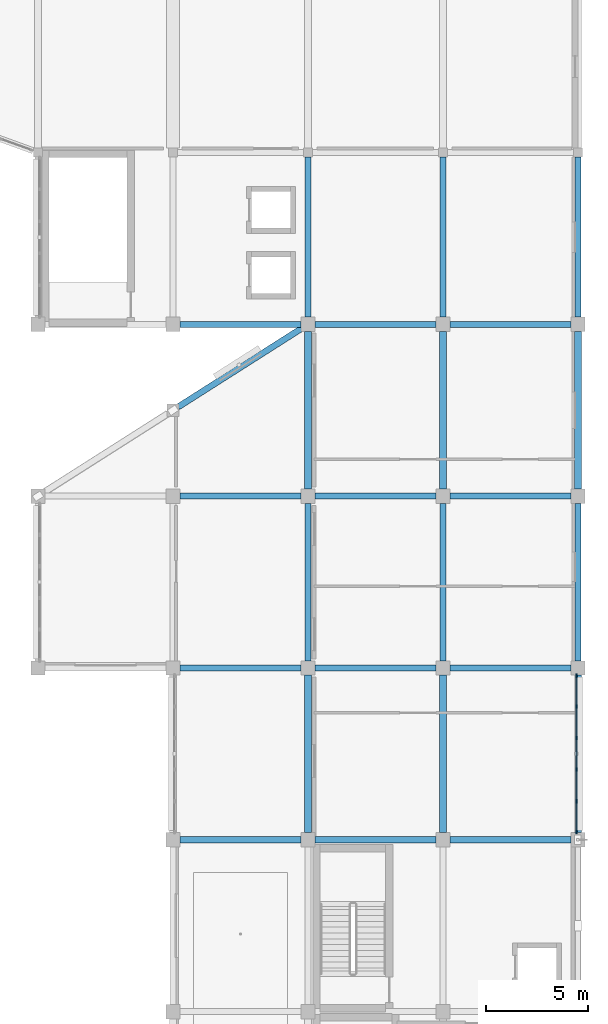
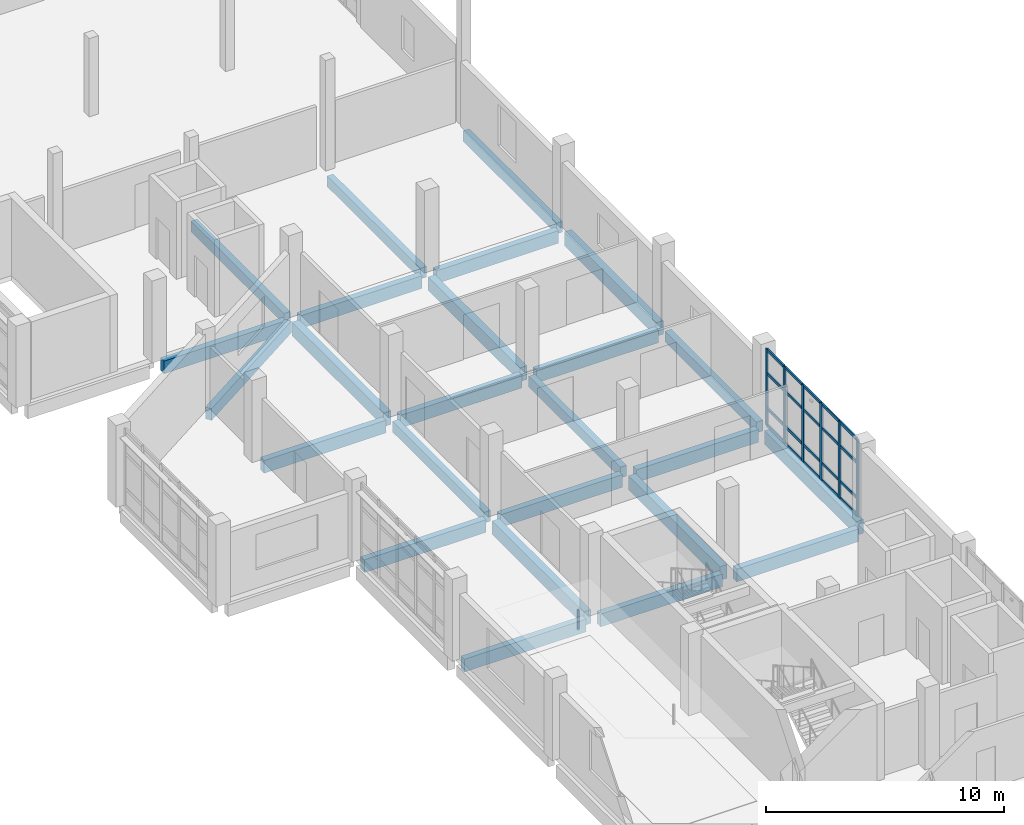
# One storey, part 30 of 78: 26 members, 25 beams, 1 element without a shape of its own.
"""IFC4 building model written with IfcOpenShell, lengths in metres."""

from ifc_helpers import new_model, si_unit, direction, frame, origin, origin_2d, place, context, subcontext, project, spatial, rectangle, extrude, material, material_profile, profile_set, type_object, element, aggregate, save


model = new_model("IFC4")

# Units and contexts
model_context = context("Model", 3, precision=1e-05, world=origin(), true_north=direction((0.0, 1.0)))
body_context = subcontext(model_context, "Body", "Model", "MODEL_VIEW")
ifc_project = project(units=[si_unit("LENGTHUNIT", "METRE"), si_unit("AREAUNIT", "SQUARE_METRE"), si_unit("VOLUMEUNIT", "CUBIC_METRE"), si_unit("PLANEANGLEUNIT", "RADIAN"), si_unit("MASSUNIT", "GRAM", prefix="KILO")], contexts=[model_context])

# Site, building, storey
site_placement = place(None, origin())
site = spatial("IfcSite", under=ifc_project, at=site_placement, CompositionType="ELEMENT")
building_placement = place(site_placement, origin())
building = spatial("IfcBuilding", under=site, at=building_placement, Name="Qaldarim Faculty of Natural and Applied Sciences", CompositionType="ELEMENT")
storey_placement = place(building_placement, frame((0.0, 0.0, 18.60009765625)))
storey = spatial("IfcBuildingStorey", under=building, at=storey_placement, Name="L04", CompositionType="ELEMENT", Elevation=18.60009765625)

# Beams
ifc_material_1 = material(Name="Concrete C40/50", Category="concrete")
ifc_material_profile_1 = material_profile(ifc_material_1, rectangle(XDim=0.300048828125, YDim=0.550048828125, at=origin_2d()), Name="RC-B300x550")
ifc_profile_set_1 = profile_set([ifc_material_profile_1], Name="Concrete C40/50")
beam_type_1 = type_object("IfcBeamType", Name="FloorBeam-RC300x550", PredefinedType="BEAM", material=ifc_profile_set_1)
beam_1_placement = place(storey_placement, frame((165.0, 42.35009765625, -0.53515625), z_axis=(0.0, 1.0, 0.0), x_axis=(-1.0, 0.0, 0.0)))
element("IfcBeam", 1, at=beam_1_placement, inside=storey, type_object=beam_type_1, Name="Beam RC-B300x550 L03 X26/Y06-Y07", PredefinedType="BEAM", context=body_context, shape_type="SweptSolid", body=[
    extrude(rectangle(XDim=0.300048828125, YDim=0.550048828125, at=origin_2d()), origin(), (0.0, 0.0, 1.0), 7.699951171875),
])
beam_2_placement = place(storey_placement, frame((165.0, 59.14990234375, -0.53515625), z_axis=(0.0, 1.0, 0.0), x_axis=(-1.0, 0.0, 0.0)))
element("IfcBeam", 2, at=beam_2_placement, inside=storey, type_object=beam_type_1, Name="Beam RC-B300x550 L03 X26/Y08-Y09", PredefinedType="BEAM", context=body_context, shape_type="SweptSolid", body=[
    extrude(rectangle(XDim=0.300048828125, YDim=0.550048828125, at=origin_2d()), origin(), (0.0, 0.0, 1.0), 7.8251953125),
])
beam_3_placement = place(storey_placement, frame((171.60009765625, 42.35009765625, -0.53515625), z_axis=(0.0, 1.0, 0.0), x_axis=(-1.0, 0.0, 0.0)))
element("IfcBeam", 3, at=beam_3_placement, inside=storey, type_object=beam_type_1, Name="Beam RC-B300x550 L03 X27/Y06-Y07", PredefinedType="BEAM", context=body_context, shape_type="SweptSolid", body=[
    extrude(rectangle(XDim=0.300048828125, YDim=0.550048828125, at=origin_2d()), origin(), (0.0, 0.0, 1.0), 7.699951171875),
])
beam_4_placement = place(storey_placement, frame((171.60009765625, 59.14990234375, -0.53515625), z_axis=(0.0, 1.0, 0.0), x_axis=(-1.0, 0.0, 0.0)))
element("IfcBeam", 4, at=beam_4_placement, inside=storey, type_object=beam_type_1, Name="Beam RC-B300x550 L03 X27/Y08-Y09", PredefinedType="BEAM", context=body_context, shape_type="SweptSolid", body=[
    extrude(rectangle(XDim=0.300048828125, YDim=0.550048828125, at=origin_2d()), origin(), (0.0, 0.0, 1.0), 7.8251953125),
])
beam_5_placement = place(storey_placement, frame((178.199951171875, 42.35009765625, -0.53515625), z_axis=(0.0, 1.0, 0.0), x_axis=(-1.0, 0.0, 0.0)))
element("IfcBeam", 5, at=beam_5_placement, inside=storey, type_object=beam_type_1, Name="Beam RC-B300x550 L03 X28/Y06-Y07", PredefinedType="BEAM", context=body_context, shape_type="SweptSolid", body=[
    extrude(rectangle(XDim=0.300048828125, YDim=0.550048828125, at=origin_2d()), origin(), (0.0, 0.0, 1.0), 7.699951171875),
])
beam_6_placement = place(storey_placement, frame((178.199951171875, 59.14990234375, -0.53515625), z_axis=(0.0, 1.0, 0.0), x_axis=(-1.0, 0.0, 0.0)))
element("IfcBeam", 6, at=beam_6_placement, inside=storey, type_object=beam_type_1, Name="Beam RC-B300x550 L03 X28/Y08-Y09", PredefinedType="BEAM", context=body_context, shape_type="SweptSolid", body=[
    extrude(rectangle(XDim=0.300048828125, YDim=0.550048828125, at=origin_2d()), origin(), (0.0, 0.0, 1.0), 7.8251953125),
])

# Curtain wall, members
ifc_material_2 = material(Name="Anodised aluminium AW-6063", Category="aluminium")
curtain_wall_type = type_object("IfcCurtainWallType", Name="CurtainWallSystem-M1700", PredefinedType="USERDEFINED", material=ifc_material_2)
curtain_wall_placement = place(storey_placement, origin())
curtain_wall = element("IfcCurtainWall", 7, at=curtain_wall_placement, inside=storey, type_object=curtain_wall_type, Name="Curtain wall CW-L04-E-X27Y05", ObjectType="UNITISED FACADE", PredefinedType="USERDEFINED")
ifc_material_profile_2 = material_profile(ifc_material_2, rectangle(XDim=0.070068359375, YDim=0.179931640625, at=origin_2d()), Name="ALU-M70x180")
ifc_profile_set_2 = profile_set([ifc_material_profile_2], Name="Anodised aluminium AW-6063")
member_type_1 = type_object("IfcMemberType", Name="Mullion-ALU70x180", PredefinedType="MULLION", material=ifc_profile_set_2)
member_1_placement = place(storey_placement, frame((178.1201171875, 33.97998046875, 0.0), z_axis=(0.0, 0.0, 1.0), x_axis=(-1.0, 0.0, 0.0)))
member_1 = element("IfcMember", 8, at=member_1_placement, type_object=member_type_1, Name="Mullion 1 of CW-L04-E-X27Y05", PredefinedType="MULLION", context=body_context, shape_type="SweptSolid", body=[
    extrude(rectangle(XDim=0.070068359375, YDim=0.179931640625, at=origin_2d()), origin(), (0.0, 0.0, 1.0), 3.93994140625),
])
member_2_placement = place(storey_placement, frame((178.1201171875, 35.487060546875, 0.0), z_axis=(0.0, 0.0, 1.0), x_axis=(-1.0, 0.0, 0.0)))
member_2 = element("IfcMember", 9, at=member_2_placement, type_object=member_type_1, Name="Mullion 2 of CW-L04-E-X27Y05", PredefinedType="MULLION", context=body_context, shape_type="SweptSolid", body=[
    extrude(rectangle(XDim=0.070068359375, YDim=0.179931640625, at=origin_2d()), origin(), (0.0, 0.0, 1.0), 3.93994140625),
])
member_3_placement = place(storey_placement, frame((178.1201171875, 37.029052734375, 0.0), z_axis=(0.0, 0.0, 1.0), x_axis=(-1.0, 0.0, 0.0)))
member_3 = element("IfcMember", 10, at=member_3_placement, type_object=member_type_1, Name="Mullion 3 of CW-L04-E-X27Y05", PredefinedType="MULLION", context=body_context, shape_type="SweptSolid", body=[
    extrude(rectangle(XDim=0.070068359375, YDim=0.179931640625, at=origin_2d()), origin(), (0.0, 0.0, 1.0), 3.93994140625),
])
member_4_placement = place(storey_placement, frame((178.1201171875, 38.571044921875, 0.0), z_axis=(0.0, 0.0, 1.0), x_axis=(-1.0, 0.0, 0.0)))
member_4 = element("IfcMember", 11, at=member_4_placement, type_object=member_type_1, Name="Mullion 4 of CW-L04-E-X27Y05", PredefinedType="MULLION", context=body_context, shape_type="SweptSolid", body=[
    extrude(rectangle(XDim=0.070068359375, YDim=0.179931640625, at=origin_2d()), origin(), (0.0, 0.0, 1.0), 3.93994140625),
])
member_5_placement = place(storey_placement, frame((178.1201171875, 40.113037109375, 0.0), z_axis=(0.0, 0.0, 1.0), x_axis=(-1.0, 0.0, 0.0)))
member_5 = element("IfcMember", 12, at=member_5_placement, type_object=member_type_1, Name="Mullion 5 of CW-L04-E-X27Y05", PredefinedType="MULLION", context=body_context, shape_type="SweptSolid", body=[
    extrude(rectangle(XDim=0.070068359375, YDim=0.179931640625, at=origin_2d()), origin(), (0.0, 0.0, 1.0), 3.93994140625),
])
member_6_placement = place(storey_placement, frame((178.1201171875, 41.6201171875, 0.0), z_axis=(0.0, 0.0, 1.0), x_axis=(-1.0, 0.0, 0.0)))
member_6 = element("IfcMember", 13, at=member_6_placement, type_object=member_type_1, Name="Mullion 6 of CW-L04-E-X27Y05", PredefinedType="MULLION", context=body_context, shape_type="SweptSolid", body=[
    extrude(rectangle(XDim=0.070068359375, YDim=0.179931640625, at=origin_2d()), origin(), (0.0, 0.0, 1.0), 3.93994140625),
])

# Beams
ifc_material_profile_3 = material_profile(ifc_material_1, rectangle(XDim=0.300048828125, YDim=0.64990234375, at=origin_2d()), Name="RC-B300x650")
ifc_profile_set_3 = profile_set([ifc_material_profile_3], Name="Concrete C40/50")
beam_type_2 = type_object("IfcBeamType", Name="PrimaryBeam-RC300x650", PredefinedType="BEAM", material=ifc_profile_set_3)
for number, where, z_axis, x_axis, name in (
    (14, (158.75, 33.60009765625, -0.585205078125), (1.0, 0.0, 0.0), (0.0, 1.0, 0.0), "Beam RC-B300x650 L03 X25-X26/Y05"),
    (15, (165.35009765625, 33.60009765625, -0.585205078125), (1.0, 0.0, 0.0), (0.0, 1.0, 0.0), "Beam RC-B300x650 L03 X26-X27/Y05"),
):
    element("IfcBeam", number, at=place(storey_placement, frame(where, z_axis=z_axis, x_axis=x_axis)), inside=storey, type_object=beam_type_2, Name=name, PredefinedType="BEAM", context=body_context, shape_type="SweptSolid", body=[
        extrude(rectangle(XDim=0.300048828125, YDim=0.64990234375, at=origin_2d()), origin(), (0.0, 0.0, 1.0), 5.89990234375),
    ])
beam_7_placement = place(storey_placement, frame((171.949951171875, 33.60009765625, -0.585205078125), z_axis=(1.0, 0.0, 0.0), x_axis=(0.0, 1.0, 0.0)))
element("IfcBeam", 16, at=beam_7_placement, inside=storey, type_object=beam_type_2, Name="Beam RC-B300x650 L03 X27-X28/Y05", PredefinedType="BEAM", context=body_context, shape_type="SweptSolid", body=[
    extrude(rectangle(XDim=0.300048828125, YDim=0.64990234375, at=origin_2d()), origin(), (0.0, 0.0, 1.0), 5.900146484375),
])
for number, where, z_axis, x_axis, name in (
    (17, (158.75, 42.0, -0.585205078125), (1.0, 0.0, 0.0), (0.0, 1.0, 0.0), "Beam RC-B300x650 L03 X25-X26/Y06"),
    (18, (165.35009765625, 42.0, -0.585205078125), (1.0, 0.0, 0.0), (0.0, 1.0, 0.0), "Beam RC-B300x650 L03 X26-X27/Y06"),
):
    element("IfcBeam", number, at=place(storey_placement, frame(where, z_axis=z_axis, x_axis=x_axis)), inside=storey, type_object=beam_type_2, Name=name, PredefinedType="BEAM", context=body_context, shape_type="SweptSolid", body=[
        extrude(rectangle(XDim=0.300048828125, YDim=0.64990234375, at=origin_2d()), origin(), (0.0, 0.0, 1.0), 5.89990234375),
    ])
beam_8_placement = place(storey_placement, frame((171.949951171875, 42.0, -0.585205078125), z_axis=(1.0, 0.0, 0.0), x_axis=(0.0, 1.0, 0.0)))
element("IfcBeam", 19, at=beam_8_placement, inside=storey, type_object=beam_type_2, Name="Beam RC-B300x650 L03 X27-X28/Y06", PredefinedType="BEAM", context=body_context, shape_type="SweptSolid", body=[
    extrude(rectangle(XDim=0.300048828125, YDim=0.64990234375, at=origin_2d()), origin(), (0.0, 0.0, 1.0), 5.900146484375),
])
for number, where, z_axis, x_axis, name in (
    (20, (158.75, 50.39990234375, -0.585205078125), (1.0, 0.0, 0.0), (0.0, 1.0, 0.0), "Beam RC-B300x650 L03 X25-X26/Y07"),
    (21, (165.35009765625, 50.39990234375, -0.585205078125), (1.0, 0.0, 0.0), (0.0, 1.0, 0.0), "Beam RC-B300x650 L03 X26-X27/Y07"),
):
    element("IfcBeam", number, at=place(storey_placement, frame(where, z_axis=z_axis, x_axis=x_axis)), inside=storey, type_object=beam_type_2, Name=name, PredefinedType="BEAM", context=body_context, shape_type="SweptSolid", body=[
        extrude(rectangle(XDim=0.300048828125, YDim=0.64990234375, at=origin_2d()), origin(), (0.0, 0.0, 1.0), 5.89990234375),
    ])
beam_9_placement = place(storey_placement, frame((171.949951171875, 50.39990234375, -0.585205078125), z_axis=(1.0, 0.0, 0.0), x_axis=(0.0, 1.0, 0.0)))
element("IfcBeam", 22, at=beam_9_placement, inside=storey, type_object=beam_type_2, Name="Beam RC-B300x650 L03 X27-X28/Y07", PredefinedType="BEAM", context=body_context, shape_type="SweptSolid", body=[
    extrude(rectangle(XDim=0.300048828125, YDim=0.64990234375, at=origin_2d()), origin(), (0.0, 0.0, 1.0), 5.900146484375),
])
for number, where, z_axis, x_axis, name in (
    (23, (158.75, 58.800048828125, -0.585205078125), (1.0, 0.0, 0.0), (0.0, 1.0, 0.0), "Beam RC-B300x650 L03 X25-X26/Y08"),
    (24, (165.35009765625, 58.800048828125, -0.585205078125), (1.0, 0.0, 0.0), (0.0, 1.0, 0.0), "Beam RC-B300x650 L03 X26-X27/Y08"),
):
    element("IfcBeam", number, at=place(storey_placement, frame(where, z_axis=z_axis, x_axis=x_axis)), inside=storey, type_object=beam_type_2, Name=name, PredefinedType="BEAM", context=body_context, shape_type="SweptSolid", body=[
        extrude(rectangle(XDim=0.300048828125, YDim=0.64990234375, at=origin_2d()), origin(), (0.0, 0.0, 1.0), 5.89990234375),
    ])
beam_10_placement = place(storey_placement, frame((171.949951171875, 58.800048828125, -0.585205078125), z_axis=(1.0, 0.0, 0.0), x_axis=(0.0, 1.0, 0.0)))
element("IfcBeam", 25, at=beam_10_placement, inside=storey, type_object=beam_type_2, Name="Beam RC-B300x650 L03 X27-X28/Y08", PredefinedType="BEAM", context=body_context, shape_type="SweptSolid", body=[
    extrude(rectangle(XDim=0.300048828125, YDim=0.64990234375, at=origin_2d()), origin(), (0.0, 0.0, 1.0), 5.900146484375),
])
ifc_material_profile_4 = material_profile(ifc_material_1, rectangle(XDim=0.35009765625, YDim=0.699951171875, at=origin_2d()), Name="RC-B350x700")
ifc_profile_set_4 = profile_set([ifc_material_profile_4], Name="Concrete C40/50")
beam_type_3 = type_object("IfcBeamType", Name="PrimaryGirder-RC350x700", PredefinedType="BEAM", material=ifc_profile_set_4)
for number, where, z_axis, x_axis, name in (
    (26, (165.0, 33.949951171875, -0.610107421875), (0.0, 1.0, 0.0), (-1.0, 0.0, 0.0), "Beam RC-B350x700 L03 X26/Y05-Y06"),
    (27, (165.0, 50.75, -0.610107421875), (0.0, 1.0, 0.0), (-1.0, 0.0, 0.0), "Beam RC-B350x700 L03 X26/Y07-Y08"),
    (28, (171.60009765625, 33.949951171875, -0.610107421875), (0.0, 1.0, 0.0), (-1.0, 0.0, 0.0), "Beam RC-B350x700 L03 X27/Y05-Y06"),
    (29, (171.60009765625, 50.75, -0.610107421875), (0.0, 1.0, 0.0), (-1.0, 0.0, 0.0), "Beam RC-B350x700 L03 X27/Y07-Y08"),
    (30, (178.199951171875, 33.949951171875, -0.610107421875), (0.0, 1.0, 0.0), (-1.0, 0.0, 0.0), "Beam RC-B350x700 L03 X28/Y05-Y06"),
    (31, (178.199951171875, 50.75, -0.610107421875), (0.0, 1.0, 0.0), (-1.0, 0.0, 0.0), "Beam RC-B350x700 L03 X28/Y07-Y08"),
):
    element("IfcBeam", number, at=place(storey_placement, frame(where, z_axis=z_axis, x_axis=x_axis)), inside=storey, type_object=beam_type_3, Name=name, PredefinedType="BEAM", context=body_context, shape_type="SweptSolid", body=[
        extrude(rectangle(XDim=0.35009765625, YDim=0.699951171875, at=origin_2d()), origin(), (0.0, 0.0, 1.0), 7.699951171875),
    ])
ifc_material_3 = material(Name="Precast concrete C40/50", Category="concrete")
ifc_material_profile_5 = material_profile(ifc_material_3, rectangle(XDim=0.300048828125, YDim=0.60009765625, at=origin_2d()), Name="RC-SP300x600")
ifc_profile_set_5 = profile_set([ifc_material_profile_5], Name="Precast concrete C40/50")
beam_type_4 = type_object("IfcBeamType", Name="SpandrelBeam-RC300x600", PredefinedType="SPANDREL", material=ifc_profile_set_5)
beam_11_placement = place(storey_placement, frame((158.64990234375, 54.760009765625, -0.56005859375), z_axis=(0.843786613851, 0.536678814829, 0.0), x_axis=(-0.536678814829, 0.843786613851, 0.0)))
element("IfcBeam", 32, at=beam_11_placement, inside=storey, type_object=beam_type_4, Name="Oblique NW chamfer spandrel L03 2", PredefinedType="SPANDREL", context=body_context, shape_type="SweptSolid", body=[
    extrude(rectangle(XDim=0.300048828125, YDim=0.60009765625, at=origin_2d()), origin(), (0.0, 0.0, 1.0), 7.2294921875),
])

# Member
ifc_material_profile_6 = material_profile(ifc_material_2, rectangle(XDim=0.070068359375, YDim=0.139892578125, at=origin_2d()), Name="ALU-T70x140")
ifc_profile_set_6 = profile_set([ifc_material_profile_6], Name="Anodised aluminium AW-6063")
member_type_2 = type_object("IfcMemberType", Name="Transom-ALU70x140", PredefinedType="USERDEFINED", material=ifc_profile_set_6)
member_7_placement = place(storey_placement, frame((178.1201171875, 34.014892578125, 0.034912109375), z_axis=(0.0, 1.0, 0.0), x_axis=(-1.0, 0.0, 0.0)))
member_7 = element("IfcMember", 33, at=member_7_placement, type_object=member_type_2, Name="Transom 1-1 of CW-L04-E-X27Y05", ObjectType="TRANSOM", PredefinedType="USERDEFINED", context=body_context, shape_type="SweptSolid", body=[
    extrude(rectangle(XDim=0.070068359375, YDim=0.139892578125, at=origin_2d()), origin(), (0.0, 0.0, 1.0), 1.43701171875),
])

member_8_placement = place(storey_placement, frame((178.1201171875, 34.014892578125, 0.89990234375), z_axis=(0.0, 1.0, 0.0), x_axis=(-1.0, 0.0, 0.0)))
member_8 = element("IfcMember", 34, at=member_8_placement, type_object=member_type_2, Name="Transom 1-2 of CW-L04-E-X27Y05", ObjectType="TRANSOM", PredefinedType="USERDEFINED", context=body_context, shape_type="SweptSolid", body=[
    extrude(rectangle(XDim=0.070068359375, YDim=0.139892578125, at=origin_2d()), origin(), (0.0, 0.0, 1.0), 1.43701171875),
])

member_9_placement = place(storey_placement, frame((178.1201171875, 34.014892578125, 2.699951171875), z_axis=(0.0, 1.0, 0.0), x_axis=(-1.0, 0.0, 0.0)))
member_9 = element("IfcMember", 35, at=member_9_placement, type_object=member_type_2, Name="Transom 1-3 of CW-L04-E-X27Y05", ObjectType="TRANSOM", PredefinedType="USERDEFINED", context=body_context, shape_type="SweptSolid", body=[
    extrude(rectangle(XDim=0.070068359375, YDim=0.139892578125, at=origin_2d()), origin(), (0.0, 0.0, 1.0), 1.43701171875),
])

member_10_placement = place(storey_placement, frame((178.1201171875, 34.014892578125, 3.90478515625), z_axis=(0.0, 1.0, 0.0), x_axis=(-1.0, 0.0, 0.0)))
member_10 = element("IfcMember", 36, at=member_10_placement, type_object=member_type_2, Name="Transom 1-4 of CW-L04-E-X27Y05", ObjectType="TRANSOM", PredefinedType="USERDEFINED", context=body_context, shape_type="SweptSolid", body=[
    extrude(rectangle(XDim=0.070068359375, YDim=0.139892578125, at=origin_2d()), origin(), (0.0, 0.0, 1.0), 1.43701171875),
])

member_11_placement = place(storey_placement, frame((178.1201171875, 35.52197265625, 0.034912109375), z_axis=(0.0, 1.0, 0.0), x_axis=(-1.0, 0.0, 0.0)))
member_11 = element("IfcMember", 37, at=member_11_placement, type_object=member_type_2, Name="Transom 2-1 of CW-L04-E-X27Y05", ObjectType="TRANSOM", PredefinedType="USERDEFINED", context=body_context, shape_type="SweptSolid", body=[
    extrude(rectangle(XDim=0.070068359375, YDim=0.139892578125, at=origin_2d()), origin(), (0.0, 0.0, 1.0), 1.471923828125),
])

member_12_placement = place(storey_placement, frame((178.1201171875, 35.52197265625, 0.89990234375), z_axis=(0.0, 1.0, 0.0), x_axis=(-1.0, 0.0, 0.0)))
member_12 = element("IfcMember", 38, at=member_12_placement, type_object=member_type_2, Name="Transom 2-2 of CW-L04-E-X27Y05", ObjectType="TRANSOM", PredefinedType="USERDEFINED", context=body_context, shape_type="SweptSolid", body=[
    extrude(rectangle(XDim=0.070068359375, YDim=0.139892578125, at=origin_2d()), origin(), (0.0, 0.0, 1.0), 1.471923828125),
])

member_13_placement = place(storey_placement, frame((178.1201171875, 35.52197265625, 2.699951171875), z_axis=(0.0, 1.0, 0.0), x_axis=(-1.0, 0.0, 0.0)))
member_13 = element("IfcMember", 39, at=member_13_placement, type_object=member_type_2, Name="Transom 2-3 of CW-L04-E-X27Y05", ObjectType="TRANSOM", PredefinedType="USERDEFINED", context=body_context, shape_type="SweptSolid", body=[
    extrude(rectangle(XDim=0.070068359375, YDim=0.139892578125, at=origin_2d()), origin(), (0.0, 0.0, 1.0), 1.471923828125),
])

member_14_placement = place(storey_placement, frame((178.1201171875, 35.52197265625, 3.90478515625), z_axis=(0.0, 1.0, 0.0), x_axis=(-1.0, 0.0, 0.0)))
member_14 = element("IfcMember", 40, at=member_14_placement, type_object=member_type_2, Name="Transom 2-4 of CW-L04-E-X27Y05", ObjectType="TRANSOM", PredefinedType="USERDEFINED", context=body_context, shape_type="SweptSolid", body=[
    extrude(rectangle(XDim=0.070068359375, YDim=0.139892578125, at=origin_2d()), origin(), (0.0, 0.0, 1.0), 1.471923828125),
])

member_15_placement = place(storey_placement, frame((178.1201171875, 37.06396484375, 0.034912109375), z_axis=(0.0, 1.0, 0.0), x_axis=(-1.0, 0.0, 0.0)))
member_15 = element("IfcMember", 41, at=member_15_placement, type_object=member_type_2, Name="Transom 3-1 of CW-L04-E-X27Y05", ObjectType="TRANSOM", PredefinedType="USERDEFINED", context=body_context, shape_type="SweptSolid", body=[
    extrude(rectangle(XDim=0.070068359375, YDim=0.139892578125, at=origin_2d()), origin(), (0.0, 0.0, 1.0), 1.471923828125),
])

member_16_placement = place(storey_placement, frame((178.1201171875, 37.06396484375, 0.89990234375), z_axis=(0.0, 1.0, 0.0), x_axis=(-1.0, 0.0, 0.0)))
member_16 = element("IfcMember", 42, at=member_16_placement, type_object=member_type_2, Name="Transom 3-2 of CW-L04-E-X27Y05", ObjectType="TRANSOM", PredefinedType="USERDEFINED", context=body_context, shape_type="SweptSolid", body=[
    extrude(rectangle(XDim=0.070068359375, YDim=0.139892578125, at=origin_2d()), origin(), (0.0, 0.0, 1.0), 1.471923828125),
])

member_17_placement = place(storey_placement, frame((178.1201171875, 37.06396484375, 2.699951171875), z_axis=(0.0, 1.0, 0.0), x_axis=(-1.0, 0.0, 0.0)))
member_17 = element("IfcMember", 43, at=member_17_placement, type_object=member_type_2, Name="Transom 3-3 of CW-L04-E-X27Y05", ObjectType="TRANSOM", PredefinedType="USERDEFINED", context=body_context, shape_type="SweptSolid", body=[
    extrude(rectangle(XDim=0.070068359375, YDim=0.139892578125, at=origin_2d()), origin(), (0.0, 0.0, 1.0), 1.471923828125),
])

member_18_placement = place(storey_placement, frame((178.1201171875, 37.06396484375, 3.90478515625), z_axis=(0.0, 1.0, 0.0), x_axis=(-1.0, 0.0, 0.0)))
member_18 = element("IfcMember", 44, at=member_18_placement, type_object=member_type_2, Name="Transom 3-4 of CW-L04-E-X27Y05", ObjectType="TRANSOM", PredefinedType="USERDEFINED", context=body_context, shape_type="SweptSolid", body=[
    extrude(rectangle(XDim=0.070068359375, YDim=0.139892578125, at=origin_2d()), origin(), (0.0, 0.0, 1.0), 1.471923828125),
])

member_19_placement = place(storey_placement, frame((178.1201171875, 38.60595703125, 0.034912109375), z_axis=(0.0, 1.0, 0.0), x_axis=(-1.0, 0.0, 0.0)))
member_19 = element("IfcMember", 45, at=member_19_placement, type_object=member_type_2, Name="Transom 4-1 of CW-L04-E-X27Y05", ObjectType="TRANSOM", PredefinedType="USERDEFINED", context=body_context, shape_type="SweptSolid", body=[
    extrude(rectangle(XDim=0.070068359375, YDim=0.139892578125, at=origin_2d()), origin(), (0.0, 0.0, 1.0), 1.471923828125),
])

member_20_placement = place(storey_placement, frame((178.1201171875, 38.60595703125, 0.89990234375), z_axis=(0.0, 1.0, 0.0), x_axis=(-1.0, 0.0, 0.0)))
member_20 = element("IfcMember", 46, at=member_20_placement, type_object=member_type_2, Name="Transom 4-2 of CW-L04-E-X27Y05", ObjectType="TRANSOM", PredefinedType="USERDEFINED", context=body_context, shape_type="SweptSolid", body=[
    extrude(rectangle(XDim=0.070068359375, YDim=0.139892578125, at=origin_2d()), origin(), (0.0, 0.0, 1.0), 1.471923828125),
])

member_21_placement = place(storey_placement, frame((178.1201171875, 38.60595703125, 2.699951171875), z_axis=(0.0, 1.0, 0.0), x_axis=(-1.0, 0.0, 0.0)))
member_21 = element("IfcMember", 47, at=member_21_placement, type_object=member_type_2, Name="Transom 4-3 of CW-L04-E-X27Y05", ObjectType="TRANSOM", PredefinedType="USERDEFINED", context=body_context, shape_type="SweptSolid", body=[
    extrude(rectangle(XDim=0.070068359375, YDim=0.139892578125, at=origin_2d()), origin(), (0.0, 0.0, 1.0), 1.471923828125),
])

member_22_placement = place(storey_placement, frame((178.1201171875, 38.60595703125, 3.90478515625), z_axis=(0.0, 1.0, 0.0), x_axis=(-1.0, 0.0, 0.0)))
member_22 = element("IfcMember", 48, at=member_22_placement, type_object=member_type_2, Name="Transom 4-4 of CW-L04-E-X27Y05", ObjectType="TRANSOM", PredefinedType="USERDEFINED", context=body_context, shape_type="SweptSolid", body=[
    extrude(rectangle(XDim=0.070068359375, YDim=0.139892578125, at=origin_2d()), origin(), (0.0, 0.0, 1.0), 1.471923828125),
])

member_23_placement = place(storey_placement, frame((178.1201171875, 40.14794921875, 0.034912109375), z_axis=(0.0, 1.0, 0.0), x_axis=(-1.0, 0.0, 0.0)))
member_23 = element("IfcMember", 49, at=member_23_placement, type_object=member_type_2, Name="Transom 5-1 of CW-L04-E-X27Y05", ObjectType="TRANSOM", PredefinedType="USERDEFINED", context=body_context, shape_type="SweptSolid", body=[
    extrude(rectangle(XDim=0.070068359375, YDim=0.139892578125, at=origin_2d()), origin(), (0.0, 0.0, 1.0), 1.43701171875),
])

member_24_placement = place(storey_placement, frame((178.1201171875, 40.14794921875, 0.89990234375), z_axis=(0.0, 1.0, 0.0), x_axis=(-1.0, 0.0, 0.0)))
member_24 = element("IfcMember", 50, at=member_24_placement, type_object=member_type_2, Name="Transom 5-2 of CW-L04-E-X27Y05", ObjectType="TRANSOM", PredefinedType="USERDEFINED", context=body_context, shape_type="SweptSolid", body=[
    extrude(rectangle(XDim=0.070068359375, YDim=0.139892578125, at=origin_2d()), origin(), (0.0, 0.0, 1.0), 1.43701171875),
])

member_25_placement = place(storey_placement, frame((178.1201171875, 40.14794921875, 2.699951171875), z_axis=(0.0, 1.0, 0.0), x_axis=(-1.0, 0.0, 0.0)))
member_25 = element("IfcMember", 51, at=member_25_placement, type_object=member_type_2, Name="Transom 5-3 of CW-L04-E-X27Y05", ObjectType="TRANSOM", PredefinedType="USERDEFINED", context=body_context, shape_type="SweptSolid", body=[
    extrude(rectangle(XDim=0.070068359375, YDim=0.139892578125, at=origin_2d()), origin(), (0.0, 0.0, 1.0), 1.43701171875),
])

member_26_placement = place(storey_placement, frame((178.1201171875, 40.14794921875, 3.90478515625), z_axis=(0.0, 1.0, 0.0), x_axis=(-1.0, 0.0, 0.0)))
member_26 = element("IfcMember", 52, at=member_26_placement, type_object=member_type_2, Name="Transom 5-4 of CW-L04-E-X27Y05", ObjectType="TRANSOM", PredefinedType="USERDEFINED", context=body_context, shape_type="SweptSolid", body=[
    extrude(rectangle(XDim=0.070068359375, YDim=0.139892578125, at=origin_2d()), origin(), (0.0, 0.0, 1.0), 1.43701171875),
])

aggregate(curtain_wall, [member_1, member_2, member_3, member_4, member_5, member_6, member_7, member_8, member_9, member_10, member_11, member_12, member_13, member_14, member_15, member_16, member_17, member_18, member_19, member_20, member_21, member_22, member_23, member_24, member_25, member_26])

save(model, "model.ifc")
